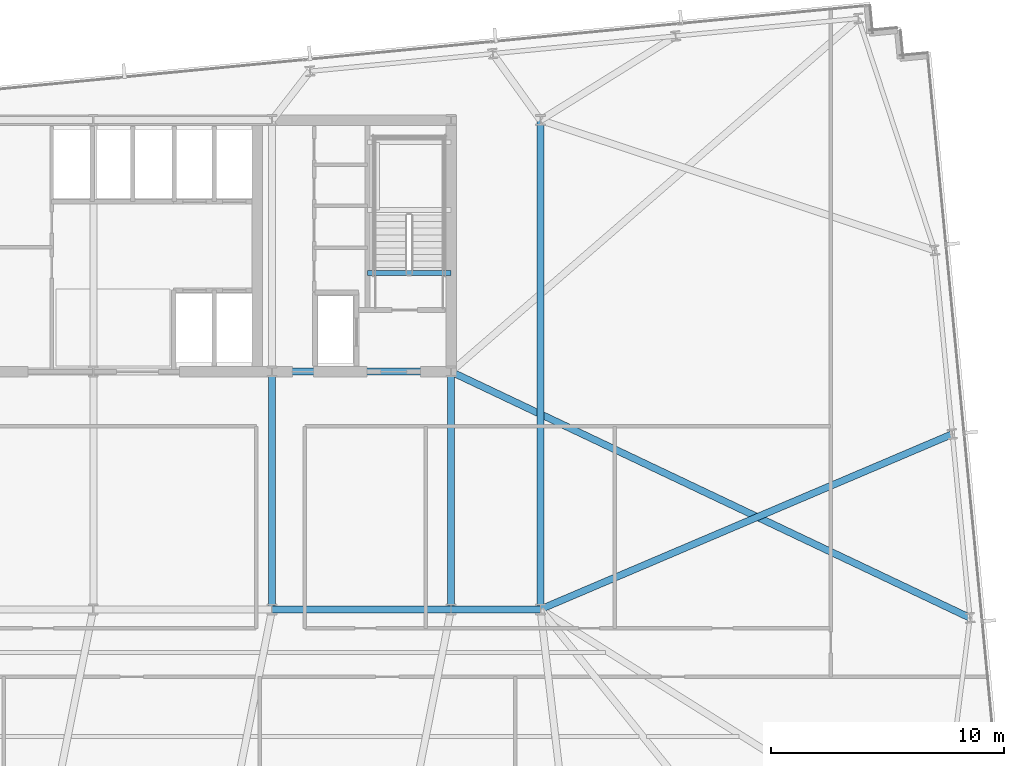
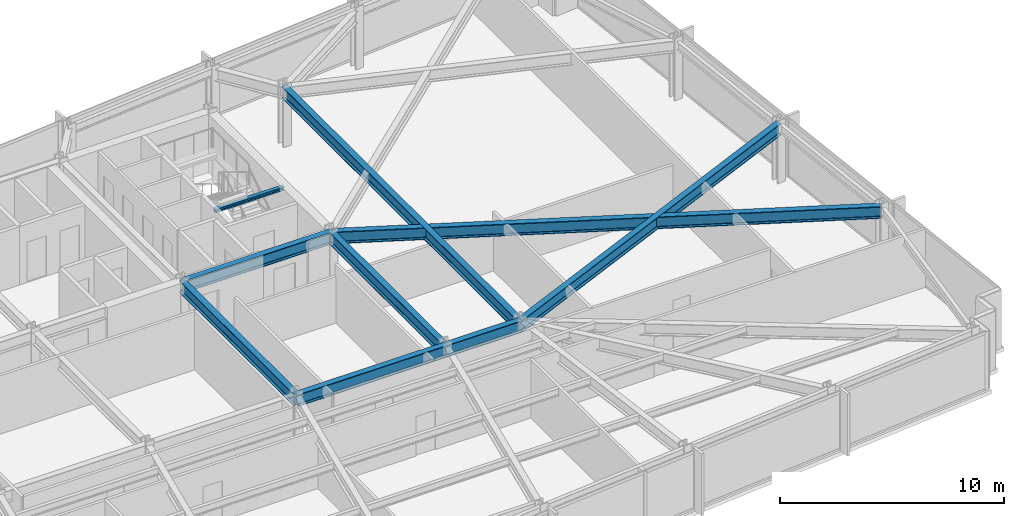
# One storey, part 15 of 32: 9 beams.
"""IFC4 building model written with IfcOpenShell, lengths in metres."""

from ifc_helpers import new_model, si_unit, direction, frame, origin, origin_2d, place, context, subcontext, project, spatial, i_section, extrude, material, material_profile, profile_set, type_object, element, save


model = new_model("IFC4")

# Units and contexts
model_context = context("Model", 3, precision=1e-05, world=origin(), true_north=direction((0.0, 1.0)))
body_context = subcontext(model_context, "Body", "Model", "MODEL_VIEW")
ifc_project = project(units=[si_unit("LENGTHUNIT", "METRE"), si_unit("AREAUNIT", "SQUARE_METRE"), si_unit("VOLUMEUNIT", "CUBIC_METRE"), si_unit("PLANEANGLEUNIT", "RADIAN"), si_unit("MASSUNIT", "GRAM", prefix="KILO")], contexts=[model_context])

# Site, building, storey
site_placement = place(None, origin())
site = spatial("IfcSite", under=ifc_project, at=site_placement, CompositionType="ELEMENT")
building_placement = place(site_placement, origin())
building = spatial("IfcBuilding", under=site, at=building_placement, Name="Yelkora Congress Tower", CompositionType="ELEMENT")
storey_placement = place(building_placement, frame((0.0, 0.0, 96.5)))
storey = spatial("IfcBuildingStorey", under=building, at=storey_placement, Name="L25", CompositionType="ELEMENT", Elevation=96.5)

# Beams
ifc_material = material(Name="Steel S355J2", Category="steel")
ifc_material_profile_1 = material_profile(ifc_material, i_section(OverallWidth=0.300048828125, OverallDepth=0.64990234375, WebThickness=0.01611328125, FlangeThickness=0.031005859375, FilletRadius=0.027099609375, at=origin_2d()), Name="HEB 650")
ifc_profile_set_1 = profile_set([ifc_material_profile_1], Name="Steel S355J2")
beam_type_1 = type_object("IfcBeamType", Name="BM-GIRD-HEB650", PredefinedType="BEAM", material=ifc_profile_set_1)
beam_1_placement = place(storey_placement, frame((46.080078125, 25.199951171875, 2.85498046875), z_axis=(1.0, 0.0, 0.0), x_axis=(0.0, 1.0, 0.0)))
element("IfcBeam", 1, at=beam_1_placement, inside=storey, type_object=beam_type_1, Name="L25 Spine Grid D Girder 5", PredefinedType="BEAM", context=body_context, shape_type="SweptSolid", body=[
    extrude(i_section(OverallWidth=0.300048828125, OverallDepth=0.64990234375, WebThickness=0.01611328125, FlangeThickness=0.031005859375, FilletRadius=0.027099609375, at=origin_2d()), origin(), (0.0, 0.0, 1.0), 7.679931640625),
])
beam_2_placement = place(storey_placement, frame((53.760009765625, 25.199951171875, 2.85498046875), z_axis=(1.0, 0.0, 0.0), x_axis=(0.0, 1.0, 0.0)))
element("IfcBeam", 2, at=beam_2_placement, inside=storey, type_object=beam_type_1, Name="L25 Spine Grid D Girder 6", PredefinedType="BEAM", context=body_context, shape_type="SweptSolid", body=[
    extrude(i_section(OverallWidth=0.300048828125, OverallDepth=0.64990234375, WebThickness=0.01611328125, FlangeThickness=0.031005859375, FilletRadius=0.027099609375, at=origin_2d()), origin(), (0.0, 0.0, 1.0), 3.840087890625),
])
beam_3_placement = place(storey_placement, frame((46.080078125, 35.39990234375, 2.85498046875), z_axis=(1.0, 0.0, 0.0), x_axis=(0.0, 1.0, 0.0)))
element("IfcBeam", 3, at=beam_3_placement, inside=storey, type_object=beam_type_1, Name="L25 Core South Girder 4", PredefinedType="BEAM", context=body_context, shape_type="SweptSolid", body=[
    extrude(i_section(OverallWidth=0.300048828125, OverallDepth=0.64990234375, WebThickness=0.01611328125, FlangeThickness=0.031005859375, FilletRadius=0.027099609375, at=origin_2d()), origin(), (0.0, 0.0, 1.0), 7.679931640625),
])
for number, where, z_axis, x_axis, name in (
    (4, (46.080078125, 25.199951171875, 2.85498046875), (0.0, 1.0, 0.0), (-1.0, 0.0, 0.0), "L25 Core Tie Girder MC-D4"),
    (5, (53.760009765625, 25.199951171875, 2.85498046875), (0.0, 1.0, 0.0), (-1.0, 0.0, 0.0), "L25 Core Tie Girder MC-D5"),
):
    element("IfcBeam", number, at=place(storey_placement, frame(where, z_axis=z_axis, x_axis=x_axis)), inside=storey, type_object=beam_type_1, Name=name, PredefinedType="BEAM", context=body_context, shape_type="SweptSolid", body=[
        extrude(i_section(OverallWidth=0.300048828125, OverallDepth=0.64990234375, WebThickness=0.01611328125, FlangeThickness=0.031005859375, FilletRadius=0.027099609375, at=origin_2d()), origin(), (0.0, 0.0, 1.0), 10.199951171875),
    ])
beam_4_placement = place(storey_placement, frame((57.60009765625, 25.199951171875, 2.85498046875), z_axis=(0.0, 1.0, 0.0), x_axis=(-1.0, 0.0, 0.0)))
element("IfcBeam", 6, at=beam_4_placement, inside=storey, type_object=beam_type_1, Name="L25 Neck Flank Girder MC-F2", PredefinedType="BEAM", context=body_context, shape_type="SweptSolid", body=[
    extrude(i_section(OverallWidth=0.300048828125, OverallDepth=0.64990234375, WebThickness=0.01611328125, FlangeThickness=0.031005859375, FilletRadius=0.027099609375, at=origin_2d()), origin(), (0.0, 0.0, 1.0), 21.0),
])
beam_5_placement = place(storey_placement, frame((76.041259765625, 24.83349609375, 2.85498046875), z_axis=(-0.903547447445, 0.428488051427, 0.0), x_axis=(-0.428488051427, -0.903547447445, 0.0)))
element("IfcBeam", 7, at=beam_5_placement, inside=storey, type_object=beam_type_1, Name="L25 Primary Frame Girder E01", PredefinedType="BEAM", context=body_context, shape_type="SweptSolid", body=[
    extrude(i_section(OverallWidth=0.300048828125, OverallDepth=0.64990234375, WebThickness=0.01611328125, FlangeThickness=0.031005859375, FilletRadius=0.027099609375, at=origin_2d()), origin(), (0.0, 0.0, 1.0), 24.65966796875),
])
beam_6_placement = place(storey_placement, frame((75.28173828125, 32.721923828125, 2.85498046875), z_axis=(-0.920194564302, -0.391461318432, 0.0), x_axis=(0.391461318432, -0.920194564302, 0.0)))
element("IfcBeam", 8, at=beam_6_placement, inside=storey, type_object=beam_type_1, Name="L25 Primary Frame Girder E02", PredefinedType="BEAM", context=body_context, shape_type="SweptSolid", body=[
    extrude(i_section(OverallWidth=0.300048828125, OverallDepth=0.64990234375, WebThickness=0.01611328125, FlangeThickness=0.031005859375, FilletRadius=0.027099609375, at=origin_2d()), origin(), (0.0, 0.0, 1.0), 19.215087890625),
])
ifc_material_profile_2 = material_profile(ifc_material, i_section(OverallWidth=0.199951171875, OverallDepth=0.18994140625, WebThickness=0.006591796875, FlangeThickness=0.010009765625, FilletRadius=0.01806640625, at=origin_2d()), Name="HEA 200")
ifc_profile_set_2 = profile_set([ifc_material_profile_2], Name="Steel S355J2")
beam_type_2 = type_object("IfcBeamType", Name="BM-LAND-HEA200", PredefinedType="BEAM", material=ifc_profile_set_2)
beam_7_placement = place(storey_placement, frame((50.179931640625, 39.639892578125, 2.947509765625), z_axis=(1.0, 0.0, 0.0), x_axis=(0.0, 1.0, 0.0)))
element("IfcBeam", 9, at=beam_7_placement, inside=storey, type_object=beam_type_2, Name="ST-02 L25 Floor Arrival Stringer Header Beam", PredefinedType="BEAM", context=body_context, shape_type="SweptSolid", body=[
    extrude(i_section(OverallWidth=0.199951171875, OverallDepth=0.18994140625, WebThickness=0.006591796875, FlangeThickness=0.010009765625, FilletRadius=0.01806640625, at=origin_2d()), origin(), (0.0, 0.0, 1.0), 3.580078125),
])

save(model, "model.ifc")
